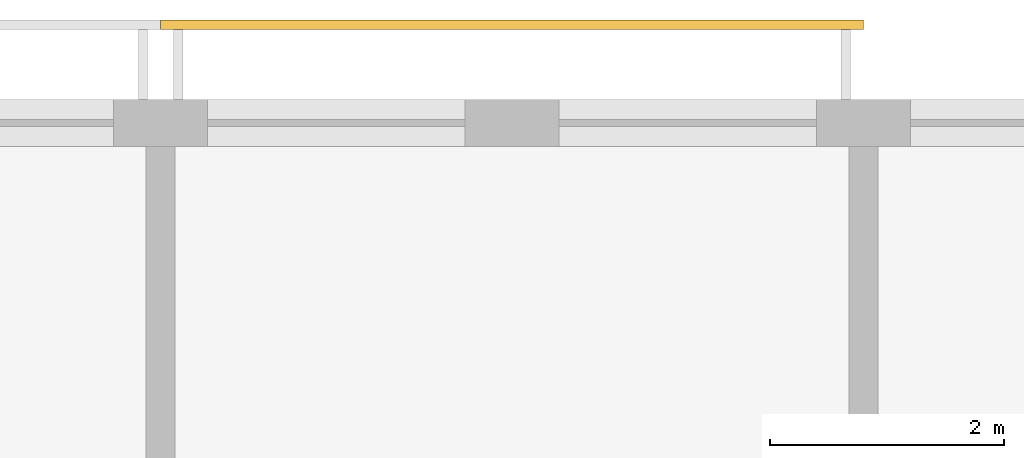
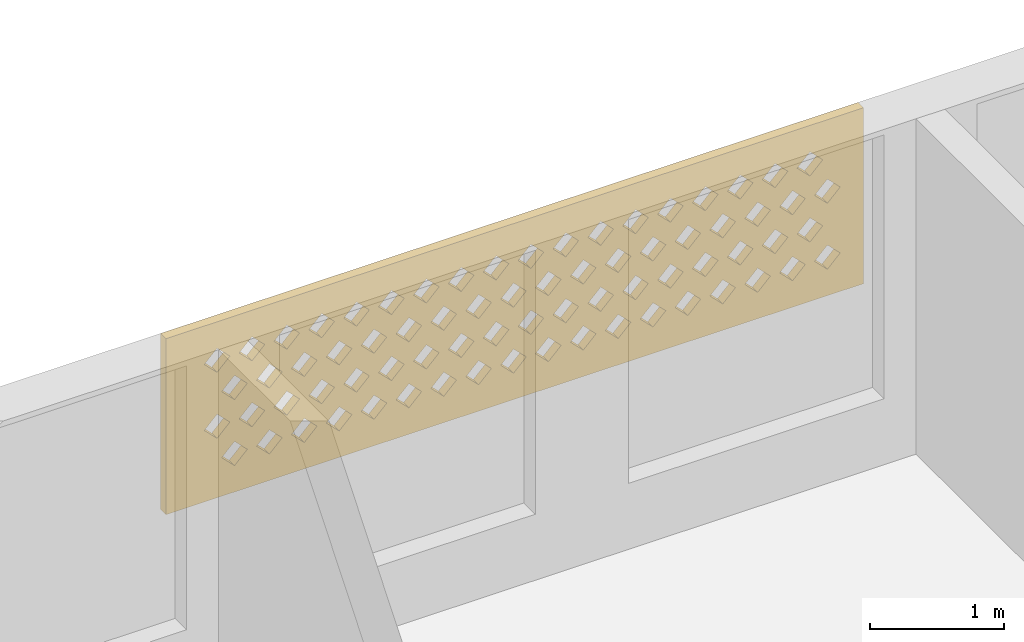
# One storey, part 13 of 16: 1 covering.
"""IFC4 building model written with IfcOpenShell, lengths in metres."""

from ifc_helpers import new_model, si_unit, direction, frame, origin, place, context, subcontext, project, spatial, polyline, outline, extrude, source, transform, mapped, material, material_profile, profile_set, type_object, element, save


model = new_model("IFC4")

# Units and contexts
model_context = context("Model", 3, precision=1e-05, world=origin(), true_north=direction((0.0, 1.0)))
body_context = subcontext(model_context, "Body", "Model", "MODEL_VIEW")
ifc_project = project(units=[si_unit("LENGTHUNIT", "METRE"), si_unit("AREAUNIT", "SQUARE_METRE"), si_unit("VOLUMEUNIT", "CUBIC_METRE"), si_unit("PLANEANGLEUNIT", "RADIAN"), si_unit("MASSUNIT", "GRAM", prefix="KILO")], contexts=[model_context])

# Site, building, storey
site_placement = place(None, origin())
site = spatial("IfcSite", under=ifc_project, at=site_placement, CompositionType="ELEMENT")
building_placement = place(site_placement, origin())
building = spatial("IfcBuilding", under=site, at=building_placement, Name="Poui Terraces", CompositionType="ELEMENT")
storey_placement = place(building_placement, frame((0.0, 0.0, 282.300048828125)))
storey = spatial("IfcBuildingStorey", under=building, at=storey_placement, Name="L78 CROWN", CompositionType="ELEMENT", Elevation=282.300048828125)

# Covering
ifc_material = material(Name="Terracotta screen", Category="masonry")
ifc_material_profile = material_profile(ifc_material, outline(polyline([(-3.0, -0.800048828125), (3.0, -0.800048828125), (3.0, 0.800048828125), (-3.0, 0.800048828125), (-3.0, -0.800048828125)]), holes=[polyline([(-2.800048828125, -0.449951171875), (-2.68994140625, -0.56005859375), (-2.580078125, -0.449951171875), (-2.68994140625, -0.340087890625), (-2.800048828125, -0.449951171875)]), polyline([(-2.5, -0.449951171875), (-2.389892578125, -0.56005859375), (-2.280029296875, -0.449951171875), (-2.389892578125, -0.340087890625), (-2.5, -0.449951171875)]), polyline([(-2.199951171875, -0.449951171875), (-2.090087890625, -0.56005859375), (-1.97998046875, -0.449951171875), (-2.090087890625, -0.340087890625), (-2.199951171875, -0.449951171875)]), polyline([(-1.89990234375, -0.449951171875), (-1.7900390625, -0.56005859375), (-1.679931640625, -0.449951171875), (-1.7900390625, -0.340087890625), (-1.89990234375, -0.449951171875)]), polyline([(-1.60009765625, -0.449951171875), (-1.489990234375, -0.56005859375), (-1.3798828125, -0.449951171875), (-1.489990234375, -0.340087890625), (-1.60009765625, -0.449951171875)]), polyline([(-1.300048828125, -0.449951171875), (-1.18994140625, -0.56005859375), (-1.080078125, -0.449951171875), (-1.18994140625, -0.340087890625), (-1.300048828125, -0.449951171875)]), polyline([(-1.0, -0.449951171875), (-0.889892578125, -0.56005859375), (-0.780029296875, -0.449951171875), (-0.889892578125, -0.340087890625), (-1.0, -0.449951171875)]), polyline([(-0.699951171875, -0.449951171875), (-0.590087890625, -0.56005859375), (-0.47998046875, -0.449951171875), (-0.590087890625, -0.340087890625), (-0.699951171875, -0.449951171875)]), polyline([(-0.39990234375, -0.449951171875), (-0.2900390625, -0.56005859375), (-0.179931640625, -0.449951171875), (-0.2900390625, -0.340087890625), (-0.39990234375, -0.449951171875)]), polyline([(-0.10009765625, -0.449951171875), (0.010009765625, -0.56005859375), (0.1201171875, -0.449951171875), (0.010009765625, -0.340087890625), (-0.10009765625, -0.449951171875)]), polyline([(0.199951171875, -0.449951171875), (0.31005859375, -0.56005859375), (0.419921875, -0.449951171875), (0.31005859375, -0.340087890625), (0.199951171875, -0.449951171875)]), polyline([(0.5, -0.449951171875), (0.610107421875, -0.56005859375), (0.719970703125, -0.449951171875), (0.610107421875, -0.340087890625), (0.5, -0.449951171875)]), polyline([(0.800048828125, -0.449951171875), (0.909912109375, -0.56005859375), (1.02001953125, -0.449951171875), (0.909912109375, -0.340087890625), (0.800048828125, -0.449951171875)]), polyline([(1.10009765625, -0.449951171875), (1.2099609375, -0.56005859375), (1.320068359375, -0.449951171875), (1.2099609375, -0.340087890625), (1.10009765625, -0.449951171875)]), polyline([(1.39990234375, -0.449951171875), (1.510009765625, -0.56005859375), (1.6201171875, -0.449951171875), (1.510009765625, -0.340087890625), (1.39990234375, -0.449951171875)]), polyline([(1.699951171875, -0.449951171875), (1.81005859375, -0.56005859375), (1.919921875, -0.449951171875), (1.81005859375, -0.340087890625), (1.699951171875, -0.449951171875)]), polyline([(2.0, -0.449951171875), (2.110107421875, -0.56005859375), (2.219970703125, -0.449951171875), (2.110107421875, -0.340087890625), (2.0, -0.449951171875)]), polyline([(2.300048828125, -0.449951171875), (2.409912109375, -0.56005859375), (2.52001953125, -0.449951171875), (2.409912109375, -0.340087890625), (2.300048828125, -0.449951171875)]), polyline([(-2.64990234375, -0.14990234375), (-2.5400390625, -0.260009765625), (-2.429931640625, -0.14990234375), (-2.5400390625, -0.0400390625), (-2.64990234375, -0.14990234375)]), polyline([(-2.35009765625, -0.14990234375), (-2.239990234375, -0.260009765625), (-2.1298828125, -0.14990234375), (-2.239990234375, -0.0400390625), (-2.35009765625, -0.14990234375)]), polyline([(-2.050048828125, -0.14990234375), (-1.93994140625, -0.260009765625), (-1.830078125, -0.14990234375), (-1.93994140625, -0.0400390625), (-2.050048828125, -0.14990234375)]), polyline([(-1.75, -0.14990234375), (-1.639892578125, -0.260009765625), (-1.530029296875, -0.14990234375), (-1.639892578125, -0.0400390625), (-1.75, -0.14990234375)]), polyline([(-1.449951171875, -0.14990234375), (-1.340087890625, -0.260009765625), (-1.22998046875, -0.14990234375), (-1.340087890625, -0.0400390625), (-1.449951171875, -0.14990234375)]), polyline([(-1.14990234375, -0.14990234375), (-1.0400390625, -0.260009765625), (-0.929931640625, -0.14990234375), (-1.0400390625, -0.0400390625), (-1.14990234375, -0.14990234375)]), polyline([(-0.85009765625, -0.14990234375), (-0.739990234375, -0.260009765625), (-0.6298828125, -0.14990234375), (-0.739990234375, -0.0400390625), (-0.85009765625, -0.14990234375)]), polyline([(-0.550048828125, -0.14990234375), (-0.43994140625, -0.260009765625), (-0.330078125, -0.14990234375), (-0.43994140625, -0.0400390625), (-0.550048828125, -0.14990234375)]), polyline([(-0.25, -0.14990234375), (-0.139892578125, -0.260009765625), (-0.030029296875, -0.14990234375), (-0.139892578125, -0.0400390625), (-0.25, -0.14990234375)]), polyline([(0.050048828125, -0.14990234375), (0.159912109375, -0.260009765625), (0.27001953125, -0.14990234375), (0.159912109375, -0.0400390625), (0.050048828125, -0.14990234375)]), polyline([(0.35009765625, -0.14990234375), (0.4599609375, -0.260009765625), (0.570068359375, -0.14990234375), (0.4599609375, -0.0400390625), (0.35009765625, -0.14990234375)]), polyline([(0.64990234375, -0.14990234375), (0.760009765625, -0.260009765625), (0.8701171875, -0.14990234375), (0.760009765625, -0.0400390625), (0.64990234375, -0.14990234375)]), polyline([(0.949951171875, -0.14990234375), (1.06005859375, -0.260009765625), (1.169921875, -0.14990234375), (1.06005859375, -0.0400390625), (0.949951171875, -0.14990234375)]), polyline([(1.25, -0.14990234375), (1.360107421875, -0.260009765625), (1.469970703125, -0.14990234375), (1.360107421875, -0.0400390625), (1.25, -0.14990234375)]), polyline([(1.550048828125, -0.14990234375), (1.659912109375, -0.260009765625), (1.77001953125, -0.14990234375), (1.659912109375, -0.0400390625), (1.550048828125, -0.14990234375)]), polyline([(1.85009765625, -0.14990234375), (1.9599609375, -0.260009765625), (2.070068359375, -0.14990234375), (1.9599609375, -0.0400390625), (1.85009765625, -0.14990234375)]), polyline([(2.14990234375, -0.14990234375), (2.260009765625, -0.260009765625), (2.3701171875, -0.14990234375), (2.260009765625, -0.0400390625), (2.14990234375, -0.14990234375)]), polyline([(2.449951171875, -0.14990234375), (2.56005859375, -0.260009765625), (2.669921875, -0.14990234375), (2.56005859375, -0.0400390625), (2.449951171875, -0.14990234375)]), polyline([(-2.800048828125, 0.14990234375), (-2.68994140625, 0.0400390625), (-2.580078125, 0.14990234375), (-2.68994140625, 0.260009765625), (-2.800048828125, 0.14990234375)]), polyline([(-2.5, 0.14990234375), (-2.389892578125, 0.0400390625), (-2.280029296875, 0.14990234375), (-2.389892578125, 0.260009765625), (-2.5, 0.14990234375)]), polyline([(-2.199951171875, 0.14990234375), (-2.090087890625, 0.0400390625), (-1.97998046875, 0.14990234375), (-2.090087890625, 0.260009765625), (-2.199951171875, 0.14990234375)]), polyline([(-1.89990234375, 0.14990234375), (-1.7900390625, 0.0400390625), (-1.679931640625, 0.14990234375), (-1.7900390625, 0.260009765625), (-1.89990234375, 0.14990234375)]), polyline([(-1.60009765625, 0.14990234375), (-1.489990234375, 0.0400390625), (-1.3798828125, 0.14990234375), (-1.489990234375, 0.260009765625), (-1.60009765625, 0.14990234375)]), polyline([(-1.300048828125, 0.14990234375), (-1.18994140625, 0.0400390625), (-1.080078125, 0.14990234375), (-1.18994140625, 0.260009765625), (-1.300048828125, 0.14990234375)]), polyline([(-1.0, 0.14990234375), (-0.889892578125, 0.0400390625), (-0.780029296875, 0.14990234375), (-0.889892578125, 0.260009765625), (-1.0, 0.14990234375)]), polyline([(-0.699951171875, 0.14990234375), (-0.590087890625, 0.0400390625), (-0.47998046875, 0.14990234375), (-0.590087890625, 0.260009765625), (-0.699951171875, 0.14990234375)]), polyline([(-0.39990234375, 0.14990234375), (-0.2900390625, 0.0400390625), (-0.179931640625, 0.14990234375), (-0.2900390625, 0.260009765625), (-0.39990234375, 0.14990234375)]), polyline([(-0.10009765625, 0.14990234375), (0.010009765625, 0.0400390625), (0.1201171875, 0.14990234375), (0.010009765625, 0.260009765625), (-0.10009765625, 0.14990234375)]), polyline([(0.199951171875, 0.14990234375), (0.31005859375, 0.0400390625), (0.419921875, 0.14990234375), (0.31005859375, 0.260009765625), (0.199951171875, 0.14990234375)]), polyline([(0.5, 0.14990234375), (0.610107421875, 0.0400390625), (0.719970703125, 0.14990234375), (0.610107421875, 0.260009765625), (0.5, 0.14990234375)]), polyline([(0.800048828125, 0.14990234375), (0.909912109375, 0.0400390625), (1.02001953125, 0.14990234375), (0.909912109375, 0.260009765625), (0.800048828125, 0.14990234375)]), polyline([(1.10009765625, 0.14990234375), (1.2099609375, 0.0400390625), (1.320068359375, 0.14990234375), (1.2099609375, 0.260009765625), (1.10009765625, 0.14990234375)]), polyline([(1.39990234375, 0.14990234375), (1.510009765625, 0.0400390625), (1.6201171875, 0.14990234375), (1.510009765625, 0.260009765625), (1.39990234375, 0.14990234375)]), polyline([(1.699951171875, 0.14990234375), (1.81005859375, 0.0400390625), (1.919921875, 0.14990234375), (1.81005859375, 0.260009765625), (1.699951171875, 0.14990234375)]), polyline([(2.0, 0.14990234375), (2.110107421875, 0.0400390625), (2.219970703125, 0.14990234375), (2.110107421875, 0.260009765625), (2.0, 0.14990234375)]), polyline([(2.300048828125, 0.14990234375), (2.409912109375, 0.0400390625), (2.52001953125, 0.14990234375), (2.409912109375, 0.260009765625), (2.300048828125, 0.14990234375)]), polyline([(-2.64990234375, 0.449951171875), (-2.5400390625, 0.340087890625), (-2.429931640625, 0.449951171875), (-2.5400390625, 0.56005859375), (-2.64990234375, 0.449951171875)]), polyline([(-2.35009765625, 0.449951171875), (-2.239990234375, 0.340087890625), (-2.1298828125, 0.449951171875), (-2.239990234375, 0.56005859375), (-2.35009765625, 0.449951171875)]), polyline([(-2.050048828125, 0.449951171875), (-1.93994140625, 0.340087890625), (-1.830078125, 0.449951171875), (-1.93994140625, 0.56005859375), (-2.050048828125, 0.449951171875)]), polyline([(-1.75, 0.449951171875), (-1.639892578125, 0.340087890625), (-1.530029296875, 0.449951171875), (-1.639892578125, 0.56005859375), (-1.75, 0.449951171875)]), polyline([(-1.449951171875, 0.449951171875), (-1.340087890625, 0.340087890625), (-1.22998046875, 0.449951171875), (-1.340087890625, 0.56005859375), (-1.449951171875, 0.449951171875)]), polyline([(-1.14990234375, 0.449951171875), (-1.0400390625, 0.340087890625), (-0.929931640625, 0.449951171875), (-1.0400390625, 0.56005859375), (-1.14990234375, 0.449951171875)]), polyline([(-0.85009765625, 0.449951171875), (-0.739990234375, 0.340087890625), (-0.6298828125, 0.449951171875), (-0.739990234375, 0.56005859375), (-0.85009765625, 0.449951171875)]), polyline([(-0.550048828125, 0.449951171875), (-0.43994140625, 0.340087890625), (-0.330078125, 0.449951171875), (-0.43994140625, 0.56005859375), (-0.550048828125, 0.449951171875)]), polyline([(-0.25, 0.449951171875), (-0.139892578125, 0.340087890625), (-0.030029296875, 0.449951171875), (-0.139892578125, 0.56005859375), (-0.25, 0.449951171875)]), polyline([(0.050048828125, 0.449951171875), (0.159912109375, 0.340087890625), (0.27001953125, 0.449951171875), (0.159912109375, 0.56005859375), (0.050048828125, 0.449951171875)]), polyline([(0.35009765625, 0.449951171875), (0.4599609375, 0.340087890625), (0.570068359375, 0.449951171875), (0.4599609375, 0.56005859375), (0.35009765625, 0.449951171875)]), polyline([(0.64990234375, 0.449951171875), (0.760009765625, 0.340087890625), (0.8701171875, 0.449951171875), (0.760009765625, 0.56005859375), (0.64990234375, 0.449951171875)]), polyline([(0.949951171875, 0.449951171875), (1.06005859375, 0.340087890625), (1.169921875, 0.449951171875), (1.06005859375, 0.56005859375), (0.949951171875, 0.449951171875)]), polyline([(1.25, 0.449951171875), (1.360107421875, 0.340087890625), (1.469970703125, 0.449951171875), (1.360107421875, 0.56005859375), (1.25, 0.449951171875)]), polyline([(1.550048828125, 0.449951171875), (1.659912109375, 0.340087890625), (1.77001953125, 0.449951171875), (1.659912109375, 0.56005859375), (1.550048828125, 0.449951171875)]), polyline([(1.85009765625, 0.449951171875), (1.9599609375, 0.340087890625), (2.070068359375, 0.449951171875), (1.9599609375, 0.56005859375), (1.85009765625, 0.449951171875)]), polyline([(2.14990234375, 0.449951171875), (2.260009765625, 0.340087890625), (2.3701171875, 0.449951171875), (2.260009765625, 0.56005859375), (2.14990234375, 0.449951171875)]), polyline([(2.449951171875, 0.449951171875), (2.56005859375, 0.340087890625), (2.669921875, 0.449951171875), (2.56005859375, 0.56005859375), (2.449951171875, 0.449951171875)])]), Name="TERRACOTTA SOLAR SCREEN 6000X1600")
ifc_profile_set = profile_set([ifc_material_profile], Name="Terracotta screen")
covering_type = type_object("IfcCoveringType", Name="TERRACOTTA SOLAR SCREEN 6000X1600", PredefinedType="CLADDING", material=ifc_profile_set)
shared_shape = source(origin(), body_context, "Body", "SweptSolid", [
    extrude(outline(polyline([(-3.0, -0.800048828125), (3.0, -0.800048828125), (3.0, 0.800048828125), (-3.0, 0.800048828125), (-3.0, -0.800048828125)]), holes=[polyline([(-2.800048828125, -0.449951171875), (-2.68994140625, -0.56005859375), (-2.580078125, -0.449951171875), (-2.68994140625, -0.340087890625), (-2.800048828125, -0.449951171875)]), polyline([(-2.5, -0.449951171875), (-2.389892578125, -0.56005859375), (-2.280029296875, -0.449951171875), (-2.389892578125, -0.340087890625), (-2.5, -0.449951171875)]), polyline([(-2.199951171875, -0.449951171875), (-2.090087890625, -0.56005859375), (-1.97998046875, -0.449951171875), (-2.090087890625, -0.340087890625), (-2.199951171875, -0.449951171875)]), polyline([(-1.89990234375, -0.449951171875), (-1.7900390625, -0.56005859375), (-1.679931640625, -0.449951171875), (-1.7900390625, -0.340087890625), (-1.89990234375, -0.449951171875)]), polyline([(-1.60009765625, -0.449951171875), (-1.489990234375, -0.56005859375), (-1.3798828125, -0.449951171875), (-1.489990234375, -0.340087890625), (-1.60009765625, -0.449951171875)]), polyline([(-1.300048828125, -0.449951171875), (-1.18994140625, -0.56005859375), (-1.080078125, -0.449951171875), (-1.18994140625, -0.340087890625), (-1.300048828125, -0.449951171875)]), polyline([(-1.0, -0.449951171875), (-0.889892578125, -0.56005859375), (-0.780029296875, -0.449951171875), (-0.889892578125, -0.340087890625), (-1.0, -0.449951171875)]), polyline([(-0.699951171875, -0.449951171875), (-0.590087890625, -0.56005859375), (-0.47998046875, -0.449951171875), (-0.590087890625, -0.340087890625), (-0.699951171875, -0.449951171875)]), polyline([(-0.39990234375, -0.449951171875), (-0.2900390625, -0.56005859375), (-0.179931640625, -0.449951171875), (-0.2900390625, -0.340087890625), (-0.39990234375, -0.449951171875)]), polyline([(-0.10009765625, -0.449951171875), (0.010009765625, -0.56005859375), (0.1201171875, -0.449951171875), (0.010009765625, -0.340087890625), (-0.10009765625, -0.449951171875)]), polyline([(0.199951171875, -0.449951171875), (0.31005859375, -0.56005859375), (0.419921875, -0.449951171875), (0.31005859375, -0.340087890625), (0.199951171875, -0.449951171875)]), polyline([(0.5, -0.449951171875), (0.610107421875, -0.56005859375), (0.719970703125, -0.449951171875), (0.610107421875, -0.340087890625), (0.5, -0.449951171875)]), polyline([(0.800048828125, -0.449951171875), (0.909912109375, -0.56005859375), (1.02001953125, -0.449951171875), (0.909912109375, -0.340087890625), (0.800048828125, -0.449951171875)]), polyline([(1.10009765625, -0.449951171875), (1.2099609375, -0.56005859375), (1.320068359375, -0.449951171875), (1.2099609375, -0.340087890625), (1.10009765625, -0.449951171875)]), polyline([(1.39990234375, -0.449951171875), (1.510009765625, -0.56005859375), (1.6201171875, -0.449951171875), (1.510009765625, -0.340087890625), (1.39990234375, -0.449951171875)]), polyline([(1.699951171875, -0.449951171875), (1.81005859375, -0.56005859375), (1.919921875, -0.449951171875), (1.81005859375, -0.340087890625), (1.699951171875, -0.449951171875)]), polyline([(2.0, -0.449951171875), (2.110107421875, -0.56005859375), (2.219970703125, -0.449951171875), (2.110107421875, -0.340087890625), (2.0, -0.449951171875)]), polyline([(2.300048828125, -0.449951171875), (2.409912109375, -0.56005859375), (2.52001953125, -0.449951171875), (2.409912109375, -0.340087890625), (2.300048828125, -0.449951171875)]), polyline([(-2.64990234375, -0.14990234375), (-2.5400390625, -0.260009765625), (-2.429931640625, -0.14990234375), (-2.5400390625, -0.0400390625), (-2.64990234375, -0.14990234375)]), polyline([(-2.35009765625, -0.14990234375), (-2.239990234375, -0.260009765625), (-2.1298828125, -0.14990234375), (-2.239990234375, -0.0400390625), (-2.35009765625, -0.14990234375)]), polyline([(-2.050048828125, -0.14990234375), (-1.93994140625, -0.260009765625), (-1.830078125, -0.14990234375), (-1.93994140625, -0.0400390625), (-2.050048828125, -0.14990234375)]), polyline([(-1.75, -0.14990234375), (-1.639892578125, -0.260009765625), (-1.530029296875, -0.14990234375), (-1.639892578125, -0.0400390625), (-1.75, -0.14990234375)]), polyline([(-1.449951171875, -0.14990234375), (-1.340087890625, -0.260009765625), (-1.22998046875, -0.14990234375), (-1.340087890625, -0.0400390625), (-1.449951171875, -0.14990234375)]), polyline([(-1.14990234375, -0.14990234375), (-1.0400390625, -0.260009765625), (-0.929931640625, -0.14990234375), (-1.0400390625, -0.0400390625), (-1.14990234375, -0.14990234375)]), polyline([(-0.85009765625, -0.14990234375), (-0.739990234375, -0.260009765625), (-0.6298828125, -0.14990234375), (-0.739990234375, -0.0400390625), (-0.85009765625, -0.14990234375)]), polyline([(-0.550048828125, -0.14990234375), (-0.43994140625, -0.260009765625), (-0.330078125, -0.14990234375), (-0.43994140625, -0.0400390625), (-0.550048828125, -0.14990234375)]), polyline([(-0.25, -0.14990234375), (-0.139892578125, -0.260009765625), (-0.030029296875, -0.14990234375), (-0.139892578125, -0.0400390625), (-0.25, -0.14990234375)]), polyline([(0.050048828125, -0.14990234375), (0.159912109375, -0.260009765625), (0.27001953125, -0.14990234375), (0.159912109375, -0.0400390625), (0.050048828125, -0.14990234375)]), polyline([(0.35009765625, -0.14990234375), (0.4599609375, -0.260009765625), (0.570068359375, -0.14990234375), (0.4599609375, -0.0400390625), (0.35009765625, -0.14990234375)]), polyline([(0.64990234375, -0.14990234375), (0.760009765625, -0.260009765625), (0.8701171875, -0.14990234375), (0.760009765625, -0.0400390625), (0.64990234375, -0.14990234375)]), polyline([(0.949951171875, -0.14990234375), (1.06005859375, -0.260009765625), (1.169921875, -0.14990234375), (1.06005859375, -0.0400390625), (0.949951171875, -0.14990234375)]), polyline([(1.25, -0.14990234375), (1.360107421875, -0.260009765625), (1.469970703125, -0.14990234375), (1.360107421875, -0.0400390625), (1.25, -0.14990234375)]), polyline([(1.550048828125, -0.14990234375), (1.659912109375, -0.260009765625), (1.77001953125, -0.14990234375), (1.659912109375, -0.0400390625), (1.550048828125, -0.14990234375)]), polyline([(1.85009765625, -0.14990234375), (1.9599609375, -0.260009765625), (2.070068359375, -0.14990234375), (1.9599609375, -0.0400390625), (1.85009765625, -0.14990234375)]), polyline([(2.14990234375, -0.14990234375), (2.260009765625, -0.260009765625), (2.3701171875, -0.14990234375), (2.260009765625, -0.0400390625), (2.14990234375, -0.14990234375)]), polyline([(2.449951171875, -0.14990234375), (2.56005859375, -0.260009765625), (2.669921875, -0.14990234375), (2.56005859375, -0.0400390625), (2.449951171875, -0.14990234375)]), polyline([(-2.800048828125, 0.14990234375), (-2.68994140625, 0.0400390625), (-2.580078125, 0.14990234375), (-2.68994140625, 0.260009765625), (-2.800048828125, 0.14990234375)]), polyline([(-2.5, 0.14990234375), (-2.389892578125, 0.0400390625), (-2.280029296875, 0.14990234375), (-2.389892578125, 0.260009765625), (-2.5, 0.14990234375)]), polyline([(-2.199951171875, 0.14990234375), (-2.090087890625, 0.0400390625), (-1.97998046875, 0.14990234375), (-2.090087890625, 0.260009765625), (-2.199951171875, 0.14990234375)]), polyline([(-1.89990234375, 0.14990234375), (-1.7900390625, 0.0400390625), (-1.679931640625, 0.14990234375), (-1.7900390625, 0.260009765625), (-1.89990234375, 0.14990234375)]), polyline([(-1.60009765625, 0.14990234375), (-1.489990234375, 0.0400390625), (-1.3798828125, 0.14990234375), (-1.489990234375, 0.260009765625), (-1.60009765625, 0.14990234375)]), polyline([(-1.300048828125, 0.14990234375), (-1.18994140625, 0.0400390625), (-1.080078125, 0.14990234375), (-1.18994140625, 0.260009765625), (-1.300048828125, 0.14990234375)]), polyline([(-1.0, 0.14990234375), (-0.889892578125, 0.0400390625), (-0.780029296875, 0.14990234375), (-0.889892578125, 0.260009765625), (-1.0, 0.14990234375)]), polyline([(-0.699951171875, 0.14990234375), (-0.590087890625, 0.0400390625), (-0.47998046875, 0.14990234375), (-0.590087890625, 0.260009765625), (-0.699951171875, 0.14990234375)]), polyline([(-0.39990234375, 0.14990234375), (-0.2900390625, 0.0400390625), (-0.179931640625, 0.14990234375), (-0.2900390625, 0.260009765625), (-0.39990234375, 0.14990234375)]), polyline([(-0.10009765625, 0.14990234375), (0.010009765625, 0.0400390625), (0.1201171875, 0.14990234375), (0.010009765625, 0.260009765625), (-0.10009765625, 0.14990234375)]), polyline([(0.199951171875, 0.14990234375), (0.31005859375, 0.0400390625), (0.419921875, 0.14990234375), (0.31005859375, 0.260009765625), (0.199951171875, 0.14990234375)]), polyline([(0.5, 0.14990234375), (0.610107421875, 0.0400390625), (0.719970703125, 0.14990234375), (0.610107421875, 0.260009765625), (0.5, 0.14990234375)]), polyline([(0.800048828125, 0.14990234375), (0.909912109375, 0.0400390625), (1.02001953125, 0.14990234375), (0.909912109375, 0.260009765625), (0.800048828125, 0.14990234375)]), polyline([(1.10009765625, 0.14990234375), (1.2099609375, 0.0400390625), (1.320068359375, 0.14990234375), (1.2099609375, 0.260009765625), (1.10009765625, 0.14990234375)]), polyline([(1.39990234375, 0.14990234375), (1.510009765625, 0.0400390625), (1.6201171875, 0.14990234375), (1.510009765625, 0.260009765625), (1.39990234375, 0.14990234375)]), polyline([(1.699951171875, 0.14990234375), (1.81005859375, 0.0400390625), (1.919921875, 0.14990234375), (1.81005859375, 0.260009765625), (1.699951171875, 0.14990234375)]), polyline([(2.0, 0.14990234375), (2.110107421875, 0.0400390625), (2.219970703125, 0.14990234375), (2.110107421875, 0.260009765625), (2.0, 0.14990234375)]), polyline([(2.300048828125, 0.14990234375), (2.409912109375, 0.0400390625), (2.52001953125, 0.14990234375), (2.409912109375, 0.260009765625), (2.300048828125, 0.14990234375)]), polyline([(-2.64990234375, 0.449951171875), (-2.5400390625, 0.340087890625), (-2.429931640625, 0.449951171875), (-2.5400390625, 0.56005859375), (-2.64990234375, 0.449951171875)]), polyline([(-2.35009765625, 0.449951171875), (-2.239990234375, 0.340087890625), (-2.1298828125, 0.449951171875), (-2.239990234375, 0.56005859375), (-2.35009765625, 0.449951171875)]), polyline([(-2.050048828125, 0.449951171875), (-1.93994140625, 0.340087890625), (-1.830078125, 0.449951171875), (-1.93994140625, 0.56005859375), (-2.050048828125, 0.449951171875)]), polyline([(-1.75, 0.449951171875), (-1.639892578125, 0.340087890625), (-1.530029296875, 0.449951171875), (-1.639892578125, 0.56005859375), (-1.75, 0.449951171875)]), polyline([(-1.449951171875, 0.449951171875), (-1.340087890625, 0.340087890625), (-1.22998046875, 0.449951171875), (-1.340087890625, 0.56005859375), (-1.449951171875, 0.449951171875)]), polyline([(-1.14990234375, 0.449951171875), (-1.0400390625, 0.340087890625), (-0.929931640625, 0.449951171875), (-1.0400390625, 0.56005859375), (-1.14990234375, 0.449951171875)]), polyline([(-0.85009765625, 0.449951171875), (-0.739990234375, 0.340087890625), (-0.6298828125, 0.449951171875), (-0.739990234375, 0.56005859375), (-0.85009765625, 0.449951171875)]), polyline([(-0.550048828125, 0.449951171875), (-0.43994140625, 0.340087890625), (-0.330078125, 0.449951171875), (-0.43994140625, 0.56005859375), (-0.550048828125, 0.449951171875)]), polyline([(-0.25, 0.449951171875), (-0.139892578125, 0.340087890625), (-0.030029296875, 0.449951171875), (-0.139892578125, 0.56005859375), (-0.25, 0.449951171875)]), polyline([(0.050048828125, 0.449951171875), (0.159912109375, 0.340087890625), (0.27001953125, 0.449951171875), (0.159912109375, 0.56005859375), (0.050048828125, 0.449951171875)]), polyline([(0.35009765625, 0.449951171875), (0.4599609375, 0.340087890625), (0.570068359375, 0.449951171875), (0.4599609375, 0.56005859375), (0.35009765625, 0.449951171875)]), polyline([(0.64990234375, 0.449951171875), (0.760009765625, 0.340087890625), (0.8701171875, 0.449951171875), (0.760009765625, 0.56005859375), (0.64990234375, 0.449951171875)]), polyline([(0.949951171875, 0.449951171875), (1.06005859375, 0.340087890625), (1.169921875, 0.449951171875), (1.06005859375, 0.56005859375), (0.949951171875, 0.449951171875)]), polyline([(1.25, 0.449951171875), (1.360107421875, 0.340087890625), (1.469970703125, 0.449951171875), (1.360107421875, 0.56005859375), (1.25, 0.449951171875)]), polyline([(1.550048828125, 0.449951171875), (1.659912109375, 0.340087890625), (1.77001953125, 0.449951171875), (1.659912109375, 0.56005859375), (1.550048828125, 0.449951171875)]), polyline([(1.85009765625, 0.449951171875), (1.9599609375, 0.340087890625), (2.070068359375, 0.449951171875), (1.9599609375, 0.56005859375), (1.85009765625, 0.449951171875)]), polyline([(2.14990234375, 0.449951171875), (2.260009765625, 0.340087890625), (2.3701171875, 0.449951171875), (2.260009765625, 0.56005859375), (2.14990234375, 0.449951171875)]), polyline([(2.449951171875, 0.449951171875), (2.56005859375, 0.340087890625), (2.669921875, 0.449951171875), (2.56005859375, 0.56005859375), (2.449951171875, 0.449951171875)])]), origin(), (0.0, 0.0, 1.0), 0.080078125),
])
covering_placement = place(storey_placement, frame((39.0, 42.0, 1.699951171875), z_axis=(0.0, 1.0, 0.0), x_axis=(-1.0, 0.0, 0.0)))
element("IfcCovering", 1, at=covering_placement, inside=storey, type_object=covering_type, Name="SOLAR SCREEN", PredefinedType="CLADDING", context=body_context, shape_type="MappedRepresentation", body=[
    mapped(shared_shape, transform((0.0, 0.0, 0.0))),
])

save(model, "model.ifc")
